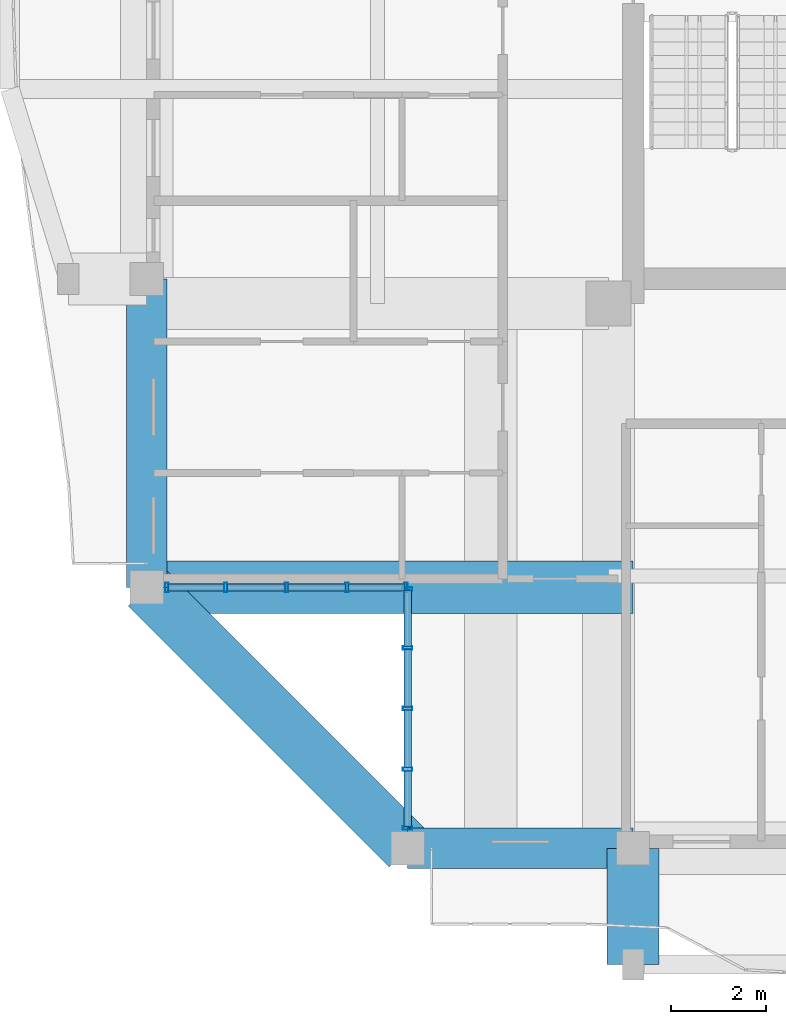
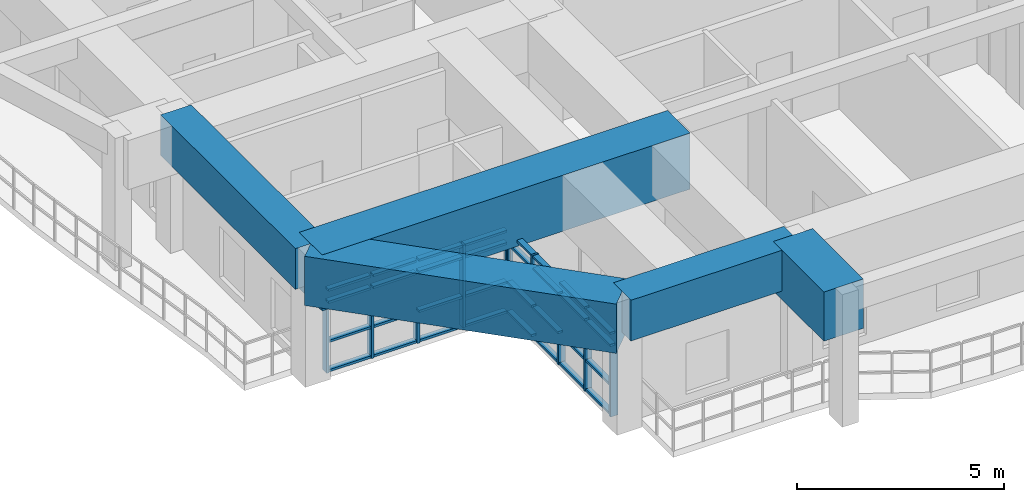
# One storey, part 2 of 27: 42 members, 5 beams, 2 elements without a shape of their own.
"""IFC4 building model written with IfcOpenShell, lengths in metres."""

from ifc_helpers import new_model, si_unit, direction, frame, origin, origin_2d, place, context, subcontext, project, spatial, rectangle, hollow_rectangle, extrude, source, transform, mapped, material, layer, layer_set, material_profile, profile_set, type_object, element, aggregate, save


model = new_model("IFC4")

# Units and contexts
model_context = context("Model", 3, precision=1e-05, world=origin(), true_north=direction((0.0, 1.0)))
body_context = subcontext(model_context, "Body", "Model", "MODEL_VIEW")
ifc_project = project(units=[si_unit("LENGTHUNIT", "METRE"), si_unit("AREAUNIT", "SQUARE_METRE"), si_unit("VOLUMEUNIT", "CUBIC_METRE"), si_unit("PLANEANGLEUNIT", "RADIAN"), si_unit("MASSUNIT", "GRAM", prefix="KILO")], contexts=[model_context])

# Site, building, storey
site_placement = place(None, origin())
site = spatial("IfcSite", under=ifc_project, at=site_placement, CompositionType="ELEMENT")
building_placement = place(site_placement, origin())
building = spatial("IfcBuilding", under=site, at=building_placement, Name="Saelheon Loggia Tower", CompositionType="ELEMENT")
storey_placement = place(building_placement, frame((0.0, 0.0, 236.10009765625)))
storey = spatial("IfcBuildingStorey", under=building, at=storey_placement, Name="L73", CompositionType="ELEMENT", Elevation=236.10009765625)

# Beams
ifc_material_1 = material(Name="Concrete C50/60", Category="concrete")
ifc_material_profile_1 = material_profile(ifc_material_1, rectangle(XDim=1.10009765625, YDim=1.449951171875, at=origin_2d()), Name="RC-1100x1450")
ifc_profile_set_1 = profile_set([ifc_material_profile_1], Name="Concrete C50/60")
beam_type_1 = type_object("IfcBeamType", Name="Beam_PerimTransfer_RC1100x1450", PredefinedType="BEAM", material=ifc_profile_set_1)
shared_shape_1 = source(origin(), body_context, "Body", "SweptSolid", [
    extrude(rectangle(XDim=1.10009765625, YDim=1.449951171875, at=origin_2d()), origin(), (0.0, 0.0, 1.0), 2.449951171875),
])
beam_1_placement = place(storey_placement, frame((31.5, 6.0, 3.1748046875), z_axis=(0.0, -1.0, 0.0), x_axis=(1.0, 0.0, 0.0)))
element("IfcBeam", 1, at=beam_1_placement, inside=storey, type_object=beam_type_1, Name="L73 Loggia Frame Tie Beam LP-S1", PredefinedType="BEAM", context=body_context, shape_type="MappedRepresentation", body=[
    mapped(shared_shape_1, transform((0.0, 0.0, 0.0), scale=1.0)),
])
ifc_material_profile_2 = material_profile(ifc_material_1, rectangle(XDim=0.85009765625, YDim=1.199951171875, at=origin_2d()), Name="RC-850x1200")
ifc_profile_set_2 = profile_set([ifc_material_profile_2], Name="Concrete C50/60")
beam_type_2 = type_object("IfcBeamType", Name="Beam_CornerShoulder_RC850x1200", PredefinedType="BEAM", material=ifc_profile_set_2)
shared_shape_2 = source(origin(), body_context, "Body", "SweptSolid", [
    extrude(rectangle(XDim=0.85009765625, YDim=1.199951171875, at=origin_2d()), origin(), (0.0, 0.0, 1.0), 6.5),
])
beam_2_placement = place(storey_placement, frame((21.25, 18.0, 3.2998046875), z_axis=(0.0, -1.0, 0.0), x_axis=(1.0, 0.0, 0.0)))
element("IfcBeam", 2, at=beam_2_placement, inside=storey, type_object=beam_type_2, Name="L73 Corner Shoulder Beam 15", PredefinedType="BEAM", context=body_context, shape_type="MappedRepresentation", body=[
    mapped(shared_shape_2, transform((0.0, 0.0, 0.0), scale=1.0)),
])
shared_shape_3 = source(origin(), body_context, "Body", "SweptSolid", [
    extrude(rectangle(XDim=1.10009765625, YDim=1.449951171875, at=origin_2d()), origin(), (0.0, 0.0, 1.0), 7.778076171875),
])
beam_3_placement = place(storey_placement, frame((21.25, 11.5, 3.1748046875), z_axis=(0.707106781187, -0.707106781187, 0.0), x_axis=(0.707106781187, 0.707106781187, 0.0)))
element("IfcBeam", 3, at=beam_3_placement, inside=storey, type_object=beam_type_1, Name="L73 Perimeter Frame Girder 16", PredefinedType="BEAM", context=body_context, shape_type="MappedRepresentation", body=[
    mapped(shared_shape_3, transform((0.0, 0.0, 0.0), scale=1.0)),
])
shared_shape_4 = source(origin(), body_context, "Body", "SweptSolid", [
    extrude(rectangle(XDim=0.85009765625, YDim=1.199951171875, at=origin_2d()), origin(), (0.0, 0.0, 1.0), 4.75),
])
beam_4_placement = place(storey_placement, frame((26.75, 6.0, 3.2998046875), z_axis=(1.0, 0.0, 0.0), x_axis=(0.0, 1.0, 0.0)))
element("IfcBeam", 4, at=beam_4_placement, inside=storey, type_object=beam_type_2, Name="L73 Corner Shoulder Beam 01", PredefinedType="BEAM", context=body_context, shape_type="MappedRepresentation", body=[
    mapped(shared_shape_4, transform((0.0, 0.0, 0.0), scale=1.0)),
])
ifc_material_profile_3 = material_profile(ifc_material_1, rectangle(XDim=1.10009765625, YDim=1.64990234375, at=origin_2d()), Name="RC-1100x1650")
ifc_profile_set_3 = profile_set([ifc_material_profile_3], Name="Concrete C50/60")
beam_type_3 = type_object("IfcBeamType", Name="Beam_MegaTransfer_RC1100x1650", PredefinedType="BEAM", material=ifc_profile_set_3)
shared_shape_5 = source(origin(), body_context, "Body", "SweptSolid", [
    extrude(rectangle(XDim=1.10009765625, YDim=1.64990234375, at=origin_2d()), origin(), (0.0, 0.0, 1.0), 10.25),
])
beam_5_placement = place(storey_placement, frame((21.25, 11.5, 3.074951171875), z_axis=(1.0, 0.0, 0.0), x_axis=(0.0, 1.0, 0.0)))
element("IfcBeam", 5, at=beam_5_placement, inside=storey, type_object=beam_type_3, Name="TG-L73-SH-SW", PredefinedType="BEAM", context=body_context, shape_type="MappedRepresentation", body=[
    mapped(shared_shape_5, transform((0.0, 0.0, 0.0), scale=1.0)),
])

# Curtain wall, members
ifc_material_2 = material(Name="High-Wind Aluminium and Triple Laminated Glass", Category="aluminium")
ifc_layer = layer(ifc_material_2, 0.179931640625)
ifc_layer_set = layer_set([ifc_layer], Name="High-Wind Aluminium and Triple Laminated Glass")
curtain_wall_type = type_object("IfcCurtainWallType", Name="CW_TowerLoggiaHigh", PredefinedType="NOTDEFINED", material=ifc_layer_set)
curtain_wall_1_placement = place(storey_placement, origin())
curtain_wall_1 = element("IfcCurtainWall", 6, at=curtain_wall_1_placement, inside=storey, type_object=curtain_wall_type, Name="L73 Corner Notch Glazing SW1", PredefinedType="NOTDEFINED")
ifc_material_3 = material(Name="Anodised Aluminium 6063-T6", Category="aluminium")
ifc_material_profile_4 = material_profile(ifc_material_3, hollow_rectangle(XDim=0.070068359375, YDim=0.199951171875, WallThickness=0.0048828125, at=origin_2d()), Name="RHS-200x70x5")
ifc_profile_set_4 = profile_set([ifc_material_profile_4], Name="Anodised Aluminium 6063-T6")
member_type_1 = type_object("IfcMemberType", Name="CW_TowerLoggiaHigh_Mullion", PredefinedType="MULLION", material=ifc_profile_set_4)
shared_shape_6 = source(origin(), body_context, "Body", "SweptSolid", [
    extrude(hollow_rectangle(XDim=0.070068359375, YDim=0.199951171875, WallThickness=0.0048828125, at=origin_2d()), origin(), (0.0, 0.0, 1.0), 2.43994140625),
])
member_1_placement = place(storey_placement, frame((26.75, 6.425048828125, 0.0), z_axis=(0.0, 0.0, 1.0), x_axis=(0.0, 1.0, 0.0)))
member_1 = element("IfcMember", 7, at=member_1_placement, type_object=member_type_1, Name="CW4 mullion 1", PredefinedType="MULLION", context=body_context, shape_type="MappedRepresentation", body=[
    mapped(shared_shape_6, transform((0.0, 0.0, 0.0), scale=1.0)),
])
member_2_placement = place(storey_placement, frame((26.75, 7.66748046875, 0.0), z_axis=(0.0, 0.0, 1.0), x_axis=(0.0, 1.0, 0.0)))
member_2 = element("IfcMember", 8, at=member_2_placement, type_object=member_type_1, Name="CW4 mullion 2", PredefinedType="MULLION", context=body_context, shape_type="MappedRepresentation", body=[
    mapped(shared_shape_6, transform((0.0, 0.0, 0.0), scale=1.0)),
])
member_3_placement = place(storey_placement, frame((26.75, 8.945068359375, 0.0), z_axis=(0.0, 0.0, 1.0), x_axis=(0.0, 1.0, 0.0)))
member_3 = element("IfcMember", 9, at=member_3_placement, type_object=member_type_1, Name="CW4 mullion 3", PredefinedType="MULLION", context=body_context, shape_type="MappedRepresentation", body=[
    mapped(shared_shape_6, transform((0.0, 0.0, 0.0), scale=1.0)),
])
member_4_placement = place(storey_placement, frame((26.75, 10.222412109375, 0.0), z_axis=(0.0, 0.0, 1.0), x_axis=(0.0, 1.0, 0.0)))
member_4 = element("IfcMember", 10, at=member_4_placement, type_object=member_type_1, Name="CW4 mullion 4", PredefinedType="MULLION", context=body_context, shape_type="MappedRepresentation", body=[
    mapped(shared_shape_6, transform((0.0, 0.0, 0.0), scale=1.0)),
])
member_5_placement = place(storey_placement, frame((26.75, 11.465087890625, 0.0), z_axis=(0.0, 0.0, 1.0), x_axis=(0.0, 1.0, 0.0)))
member_5 = element("IfcMember", 11, at=member_5_placement, type_object=member_type_1, Name="CW4 mullion 5", PredefinedType="MULLION", context=body_context, shape_type="MappedRepresentation", body=[
    mapped(shared_shape_6, transform((0.0, 0.0, 0.0), scale=1.0)),
])

curtain_wall_2_placement = place(storey_placement, origin())
curtain_wall_2 = element("IfcCurtainWall", 12, at=curtain_wall_2_placement, inside=storey, type_object=curtain_wall_type, Name="L73 Corner Notch Glazing SW2", PredefinedType="NOTDEFINED")
member_6_placement = place(storey_placement, frame((21.675048828125, 11.5, 0.0), z_axis=(0.0, 0.0, 1.0), x_axis=(1.0, 0.0, 0.0)))
member_6 = element("IfcMember", 13, at=member_6_placement, type_object=member_type_1, Name="CW4 mullion 1", PredefinedType="MULLION", context=body_context, shape_type="MappedRepresentation", body=[
    mapped(shared_shape_6, transform((0.0, 0.0, 0.0), scale=1.0)),
])
member_7_placement = place(storey_placement, frame((22.91748046875, 11.5, 0.0), z_axis=(0.0, 0.0, 1.0), x_axis=(1.0, 0.0, 0.0)))
member_7 = element("IfcMember", 14, at=member_7_placement, type_object=member_type_1, Name="CW4 mullion 2", PredefinedType="MULLION", context=body_context, shape_type="MappedRepresentation", body=[
    mapped(shared_shape_6, transform((0.0, 0.0, 0.0), scale=1.0)),
])
member_8_placement = place(storey_placement, frame((24.195068359375, 11.5, 0.0), z_axis=(0.0, 0.0, 1.0), x_axis=(1.0, 0.0, 0.0)))
member_8 = element("IfcMember", 15, at=member_8_placement, type_object=member_type_1, Name="CW4 mullion 3", PredefinedType="MULLION", context=body_context, shape_type="MappedRepresentation", body=[
    mapped(shared_shape_6, transform((0.0, 0.0, 0.0), scale=1.0)),
])
member_9_placement = place(storey_placement, frame((25.472412109375, 11.5, 0.0), z_axis=(0.0, 0.0, 1.0), x_axis=(1.0, 0.0, 0.0)))
member_9 = element("IfcMember", 16, at=member_9_placement, type_object=member_type_1, Name="CW4 mullion 4", PredefinedType="MULLION", context=body_context, shape_type="MappedRepresentation", body=[
    mapped(shared_shape_6, transform((0.0, 0.0, 0.0), scale=1.0)),
])
member_10_placement = place(storey_placement, frame((26.715087890625, 11.5, 0.0), z_axis=(0.0, 0.0, 1.0), x_axis=(1.0, 0.0, 0.0)))
member_10 = element("IfcMember", 17, at=member_10_placement, type_object=member_type_1, Name="CW4 mullion 5", PredefinedType="MULLION", context=body_context, shape_type="MappedRepresentation", body=[
    mapped(shared_shape_6, transform((0.0, 0.0, 0.0), scale=1.0)),
])

# Member
ifc_material_profile_5 = material_profile(ifc_material_3, hollow_rectangle(XDim=0.070068359375, YDim=0.14990234375, WallThickness=0.0048828125, at=origin_2d()), Name="RHS-150x70x5")
ifc_profile_set_5 = profile_set([ifc_material_profile_5], Name="Anodised Aluminium 6063-T6")
member_type_2 = type_object("IfcMemberType", Name="CW_TowerLoggiaHigh_Transom", PredefinedType="USERDEFINED", material=ifc_profile_set_5)
shared_shape_7 = source(origin(), body_context, "Body", "SweptSolid", [
    extrude(hollow_rectangle(XDim=0.070068359375, YDim=0.14990234375, WallThickness=0.0048828125, at=origin_2d()), origin(), (0.0, 0.0, 1.0), 1.172607421875),
])
member_11_placement = place(storey_placement, frame((26.75, 6.4599609375, 0.034912109375), z_axis=(0.0, 1.0, 0.0), x_axis=(0.0, 0.0, 1.0)))
member_11 = element("IfcMember", 18, at=member_11_placement, type_object=member_type_2, Name="CW4 transom 1.1", ObjectType="TRANSOM", PredefinedType="USERDEFINED", context=body_context, shape_type="MappedRepresentation", body=[
    mapped(shared_shape_7, transform((0.0, 0.0, 0.0), scale=1.0)),
])

member_12_placement = place(storey_placement, frame((26.75, 6.4599609375, 0.89990234375), z_axis=(0.0, 1.0, 0.0), x_axis=(0.0, 0.0, 1.0)))
member_12 = element("IfcMember", 19, at=member_12_placement, type_object=member_type_2, Name="CW4 transom 1.2", ObjectType="TRANSOM", PredefinedType="USERDEFINED", context=body_context, shape_type="MappedRepresentation", body=[
    mapped(shared_shape_7, transform((0.0, 0.0, 0.0), scale=1.0)),
])

member_13_placement = place(storey_placement, frame((26.75, 6.4599609375, 2.0498046875), z_axis=(0.0, 1.0, 0.0), x_axis=(0.0, 0.0, 1.0)))
member_13 = element("IfcMember", 20, at=member_13_placement, type_object=member_type_2, Name="CW4 transom 1.3", ObjectType="TRANSOM", PredefinedType="USERDEFINED", context=body_context, shape_type="MappedRepresentation", body=[
    mapped(shared_shape_7, transform((0.0, 0.0, 0.0), scale=1.0)),
])

member_14_placement = place(storey_placement, frame((26.75, 6.4599609375, 2.40478515625), z_axis=(0.0, 1.0, 0.0), x_axis=(0.0, 0.0, 1.0)))
member_14 = element("IfcMember", 21, at=member_14_placement, type_object=member_type_2, Name="CW4 transom 1.4", ObjectType="TRANSOM", PredefinedType="USERDEFINED", context=body_context, shape_type="MappedRepresentation", body=[
    mapped(shared_shape_7, transform((0.0, 0.0, 0.0), scale=1.0)),
])

member_15_placement = place(storey_placement, frame((21.7099609375, 11.5, 0.034912109375), z_axis=(1.0, 0.0, 0.0), x_axis=(0.0, 0.0, 1.0)))
member_15 = element("IfcMember", 22, at=member_15_placement, type_object=member_type_2, Name="CW4 transom 1.1", ObjectType="TRANSOM", PredefinedType="USERDEFINED", context=body_context, shape_type="MappedRepresentation", body=[
    mapped(shared_shape_7, transform((0.0, 0.0, 0.0), scale=1.0)),
])

member_16_placement = place(storey_placement, frame((21.7099609375, 11.5, 0.89990234375), z_axis=(1.0, 0.0, 0.0), x_axis=(0.0, 0.0, 1.0)))
member_16 = element("IfcMember", 23, at=member_16_placement, type_object=member_type_2, Name="CW4 transom 1.2", ObjectType="TRANSOM", PredefinedType="USERDEFINED", context=body_context, shape_type="MappedRepresentation", body=[
    mapped(shared_shape_7, transform((0.0, 0.0, 0.0), scale=1.0)),
])

member_17_placement = place(storey_placement, frame((21.7099609375, 11.5, 2.0498046875), z_axis=(1.0, 0.0, 0.0), x_axis=(0.0, 0.0, 1.0)))
member_17 = element("IfcMember", 24, at=member_17_placement, type_object=member_type_2, Name="CW4 transom 1.3", ObjectType="TRANSOM", PredefinedType="USERDEFINED", context=body_context, shape_type="MappedRepresentation", body=[
    mapped(shared_shape_7, transform((0.0, 0.0, 0.0), scale=1.0)),
])

member_18_placement = place(storey_placement, frame((21.7099609375, 11.5, 2.40478515625), z_axis=(1.0, 0.0, 0.0), x_axis=(0.0, 0.0, 1.0)))
member_18 = element("IfcMember", 25, at=member_18_placement, type_object=member_type_2, Name="CW4 transom 1.4", ObjectType="TRANSOM", PredefinedType="USERDEFINED", context=body_context, shape_type="MappedRepresentation", body=[
    mapped(shared_shape_7, transform((0.0, 0.0, 0.0), scale=1.0)),
])

shared_shape_8 = source(origin(), body_context, "Body", "SweptSolid", [
    extrude(hollow_rectangle(XDim=0.070068359375, YDim=0.14990234375, WallThickness=0.0048828125, at=origin_2d()), origin(), (0.0, 0.0, 1.0), 1.20751953125),
])
member_19_placement = place(storey_placement, frame((26.75, 7.702392578125, 0.034912109375), z_axis=(0.0, 1.0, 0.0), x_axis=(0.0, 0.0, 1.0)))
member_19 = element("IfcMember", 26, at=member_19_placement, type_object=member_type_2, Name="CW4 transom 2.1", ObjectType="TRANSOM", PredefinedType="USERDEFINED", context=body_context, shape_type="MappedRepresentation", body=[
    mapped(shared_shape_8, transform((0.0, 0.0, 0.0), scale=1.0)),
])

member_20_placement = place(storey_placement, frame((26.75, 7.702392578125, 0.89990234375), z_axis=(0.0, 1.0, 0.0), x_axis=(0.0, 0.0, 1.0)))
member_20 = element("IfcMember", 27, at=member_20_placement, type_object=member_type_2, Name="CW4 transom 2.2", ObjectType="TRANSOM", PredefinedType="USERDEFINED", context=body_context, shape_type="MappedRepresentation", body=[
    mapped(shared_shape_8, transform((0.0, 0.0, 0.0), scale=1.0)),
])

member_21_placement = place(storey_placement, frame((26.75, 7.702392578125, 2.0498046875), z_axis=(0.0, 1.0, 0.0), x_axis=(0.0, 0.0, 1.0)))
member_21 = element("IfcMember", 28, at=member_21_placement, type_object=member_type_2, Name="CW4 transom 2.3", ObjectType="TRANSOM", PredefinedType="USERDEFINED", context=body_context, shape_type="MappedRepresentation", body=[
    mapped(shared_shape_8, transform((0.0, 0.0, 0.0), scale=1.0)),
])

member_22_placement = place(storey_placement, frame((26.75, 7.702392578125, 2.40478515625), z_axis=(0.0, 1.0, 0.0), x_axis=(0.0, 0.0, 1.0)))
member_22 = element("IfcMember", 29, at=member_22_placement, type_object=member_type_2, Name="CW4 transom 2.4", ObjectType="TRANSOM", PredefinedType="USERDEFINED", context=body_context, shape_type="MappedRepresentation", body=[
    mapped(shared_shape_8, transform((0.0, 0.0, 0.0), scale=1.0)),
])

member_23_placement = place(storey_placement, frame((26.75, 8.97998046875, 0.034912109375), z_axis=(0.0, 1.0, 0.0), x_axis=(0.0, 0.0, 1.0)))
member_23 = element("IfcMember", 30, at=member_23_placement, type_object=member_type_2, Name="CW4 transom 3.1", ObjectType="TRANSOM", PredefinedType="USERDEFINED", context=body_context, shape_type="MappedRepresentation", body=[
    mapped(shared_shape_8, transform((0.0, 0.0, 0.0), scale=1.0)),
])

member_24_placement = place(storey_placement, frame((26.75, 8.97998046875, 0.89990234375), z_axis=(0.0, 1.0, 0.0), x_axis=(0.0, 0.0, 1.0)))
member_24 = element("IfcMember", 31, at=member_24_placement, type_object=member_type_2, Name="CW4 transom 3.2", ObjectType="TRANSOM", PredefinedType="USERDEFINED", context=body_context, shape_type="MappedRepresentation", body=[
    mapped(shared_shape_8, transform((0.0, 0.0, 0.0), scale=1.0)),
])

member_25_placement = place(storey_placement, frame((26.75, 8.97998046875, 2.0498046875), z_axis=(0.0, 1.0, 0.0), x_axis=(0.0, 0.0, 1.0)))
member_25 = element("IfcMember", 32, at=member_25_placement, type_object=member_type_2, Name="CW4 transom 3.3", ObjectType="TRANSOM", PredefinedType="USERDEFINED", context=body_context, shape_type="MappedRepresentation", body=[
    mapped(shared_shape_8, transform((0.0, 0.0, 0.0), scale=1.0)),
])

member_26_placement = place(storey_placement, frame((26.75, 8.97998046875, 2.40478515625), z_axis=(0.0, 1.0, 0.0), x_axis=(0.0, 0.0, 1.0)))
member_26 = element("IfcMember", 33, at=member_26_placement, type_object=member_type_2, Name="CW4 transom 3.4", ObjectType="TRANSOM", PredefinedType="USERDEFINED", context=body_context, shape_type="MappedRepresentation", body=[
    mapped(shared_shape_8, transform((0.0, 0.0, 0.0), scale=1.0)),
])

member_27_placement = place(storey_placement, frame((22.952392578125, 11.5, 0.034912109375), z_axis=(1.0, 0.0, 0.0), x_axis=(0.0, 0.0, 1.0)))
member_27 = element("IfcMember", 34, at=member_27_placement, type_object=member_type_2, Name="CW4 transom 2.1", ObjectType="TRANSOM", PredefinedType="USERDEFINED", context=body_context, shape_type="MappedRepresentation", body=[
    mapped(shared_shape_8, transform((0.0, 0.0, 0.0), scale=1.0)),
])

member_28_placement = place(storey_placement, frame((22.952392578125, 11.5, 0.89990234375), z_axis=(1.0, 0.0, 0.0), x_axis=(0.0, 0.0, 1.0)))
member_28 = element("IfcMember", 35, at=member_28_placement, type_object=member_type_2, Name="CW4 transom 2.2", ObjectType="TRANSOM", PredefinedType="USERDEFINED", context=body_context, shape_type="MappedRepresentation", body=[
    mapped(shared_shape_8, transform((0.0, 0.0, 0.0), scale=1.0)),
])

member_29_placement = place(storey_placement, frame((22.952392578125, 11.5, 2.0498046875), z_axis=(1.0, 0.0, 0.0), x_axis=(0.0, 0.0, 1.0)))
member_29 = element("IfcMember", 36, at=member_29_placement, type_object=member_type_2, Name="CW4 transom 2.3", ObjectType="TRANSOM", PredefinedType="USERDEFINED", context=body_context, shape_type="MappedRepresentation", body=[
    mapped(shared_shape_8, transform((0.0, 0.0, 0.0), scale=1.0)),
])

member_30_placement = place(storey_placement, frame((22.952392578125, 11.5, 2.40478515625), z_axis=(1.0, 0.0, 0.0), x_axis=(0.0, 0.0, 1.0)))
member_30 = element("IfcMember", 37, at=member_30_placement, type_object=member_type_2, Name="CW4 transom 2.4", ObjectType="TRANSOM", PredefinedType="USERDEFINED", context=body_context, shape_type="MappedRepresentation", body=[
    mapped(shared_shape_8, transform((0.0, 0.0, 0.0), scale=1.0)),
])

member_31_placement = place(storey_placement, frame((24.22998046875, 11.5, 0.034912109375), z_axis=(1.0, 0.0, 0.0), x_axis=(0.0, 0.0, 1.0)))
member_31 = element("IfcMember", 38, at=member_31_placement, type_object=member_type_2, Name="CW4 transom 3.1", ObjectType="TRANSOM", PredefinedType="USERDEFINED", context=body_context, shape_type="MappedRepresentation", body=[
    mapped(shared_shape_8, transform((0.0, 0.0, 0.0), scale=1.0)),
])

member_32_placement = place(storey_placement, frame((24.22998046875, 11.5, 0.89990234375), z_axis=(1.0, 0.0, 0.0), x_axis=(0.0, 0.0, 1.0)))
member_32 = element("IfcMember", 39, at=member_32_placement, type_object=member_type_2, Name="CW4 transom 3.2", ObjectType="TRANSOM", PredefinedType="USERDEFINED", context=body_context, shape_type="MappedRepresentation", body=[
    mapped(shared_shape_8, transform((0.0, 0.0, 0.0), scale=1.0)),
])

member_33_placement = place(storey_placement, frame((24.22998046875, 11.5, 2.0498046875), z_axis=(1.0, 0.0, 0.0), x_axis=(0.0, 0.0, 1.0)))
member_33 = element("IfcMember", 40, at=member_33_placement, type_object=member_type_2, Name="CW4 transom 3.3", ObjectType="TRANSOM", PredefinedType="USERDEFINED", context=body_context, shape_type="MappedRepresentation", body=[
    mapped(shared_shape_8, transform((0.0, 0.0, 0.0), scale=1.0)),
])

member_34_placement = place(storey_placement, frame((24.22998046875, 11.5, 2.40478515625), z_axis=(1.0, 0.0, 0.0), x_axis=(0.0, 0.0, 1.0)))
member_34 = element("IfcMember", 41, at=member_34_placement, type_object=member_type_2, Name="CW4 transom 3.4", ObjectType="TRANSOM", PredefinedType="USERDEFINED", context=body_context, shape_type="MappedRepresentation", body=[
    mapped(shared_shape_8, transform((0.0, 0.0, 0.0), scale=1.0)),
])

shared_shape_9 = source(origin(), body_context, "Body", "SweptSolid", [
    extrude(hollow_rectangle(XDim=0.070068359375, YDim=0.14990234375, WallThickness=0.0048828125, at=origin_2d()), origin(), (0.0, 0.0, 1.0), 1.17236328125),
])
member_35_placement = place(storey_placement, frame((26.75, 10.257568359375, 0.034912109375), z_axis=(0.0, 1.0, 0.0), x_axis=(0.0, 0.0, 1.0)))
member_35 = element("IfcMember", 42, at=member_35_placement, type_object=member_type_2, Name="CW4 transom 4.1", ObjectType="TRANSOM", PredefinedType="USERDEFINED", context=body_context, shape_type="MappedRepresentation", body=[
    mapped(shared_shape_9, transform((0.0, 0.0, 0.0), scale=1.0)),
])

member_36_placement = place(storey_placement, frame((26.75, 10.257568359375, 0.89990234375), z_axis=(0.0, 1.0, 0.0), x_axis=(0.0, 0.0, 1.0)))
member_36 = element("IfcMember", 43, at=member_36_placement, type_object=member_type_2, Name="CW4 transom 4.2", ObjectType="TRANSOM", PredefinedType="USERDEFINED", context=body_context, shape_type="MappedRepresentation", body=[
    mapped(shared_shape_9, transform((0.0, 0.0, 0.0), scale=1.0)),
])

member_37_placement = place(storey_placement, frame((26.75, 10.257568359375, 2.0498046875), z_axis=(0.0, 1.0, 0.0), x_axis=(0.0, 0.0, 1.0)))
member_37 = element("IfcMember", 44, at=member_37_placement, type_object=member_type_2, Name="CW4 transom 4.3", ObjectType="TRANSOM", PredefinedType="USERDEFINED", context=body_context, shape_type="MappedRepresentation", body=[
    mapped(shared_shape_9, transform((0.0, 0.0, 0.0), scale=1.0)),
])

member_38_placement = place(storey_placement, frame((26.75, 10.257568359375, 2.40478515625), z_axis=(0.0, 1.0, 0.0), x_axis=(0.0, 0.0, 1.0)))
member_38 = element("IfcMember", 45, at=member_38_placement, type_object=member_type_2, Name="CW4 transom 4.4", ObjectType="TRANSOM", PredefinedType="USERDEFINED", context=body_context, shape_type="MappedRepresentation", body=[
    mapped(shared_shape_9, transform((0.0, 0.0, 0.0), scale=1.0)),
])

aggregate(curtain_wall_1, [member_1, member_2, member_3, member_4, member_5, member_11, member_12, member_13, member_14, member_19, member_20, member_21, member_22, member_23, member_24, member_25, member_26, member_35, member_36, member_37, member_38])

member_39_placement = place(storey_placement, frame((25.507568359375, 11.5, 0.034912109375), z_axis=(1.0, 0.0, 0.0), x_axis=(0.0, 0.0, 1.0)))
member_39 = element("IfcMember", 46, at=member_39_placement, type_object=member_type_2, Name="CW4 transom 4.1", ObjectType="TRANSOM", PredefinedType="USERDEFINED", context=body_context, shape_type="MappedRepresentation", body=[
    mapped(shared_shape_9, transform((0.0, 0.0, 0.0), scale=1.0)),
])

member_40_placement = place(storey_placement, frame((25.507568359375, 11.5, 0.89990234375), z_axis=(1.0, 0.0, 0.0), x_axis=(0.0, 0.0, 1.0)))
member_40 = element("IfcMember", 47, at=member_40_placement, type_object=member_type_2, Name="CW4 transom 4.2", ObjectType="TRANSOM", PredefinedType="USERDEFINED", context=body_context, shape_type="MappedRepresentation", body=[
    mapped(shared_shape_9, transform((0.0, 0.0, 0.0), scale=1.0)),
])

member_41_placement = place(storey_placement, frame((25.507568359375, 11.5, 2.0498046875), z_axis=(1.0, 0.0, 0.0), x_axis=(0.0, 0.0, 1.0)))
member_41 = element("IfcMember", 48, at=member_41_placement, type_object=member_type_2, Name="CW4 transom 4.3", ObjectType="TRANSOM", PredefinedType="USERDEFINED", context=body_context, shape_type="MappedRepresentation", body=[
    mapped(shared_shape_9, transform((0.0, 0.0, 0.0), scale=1.0)),
])

member_42_placement = place(storey_placement, frame((25.507568359375, 11.5, 2.40478515625), z_axis=(1.0, 0.0, 0.0), x_axis=(0.0, 0.0, 1.0)))
member_42 = element("IfcMember", 49, at=member_42_placement, type_object=member_type_2, Name="CW4 transom 4.4", ObjectType="TRANSOM", PredefinedType="USERDEFINED", context=body_context, shape_type="MappedRepresentation", body=[
    mapped(shared_shape_9, transform((0.0, 0.0, 0.0), scale=1.0)),
])

aggregate(curtain_wall_2, [member_6, member_7, member_8, member_9, member_10, member_15, member_16, member_17, member_18, member_27, member_28, member_29, member_30, member_31, member_32, member_33, member_34, member_39, member_40, member_41, member_42])

save(model, "model.ifc")
